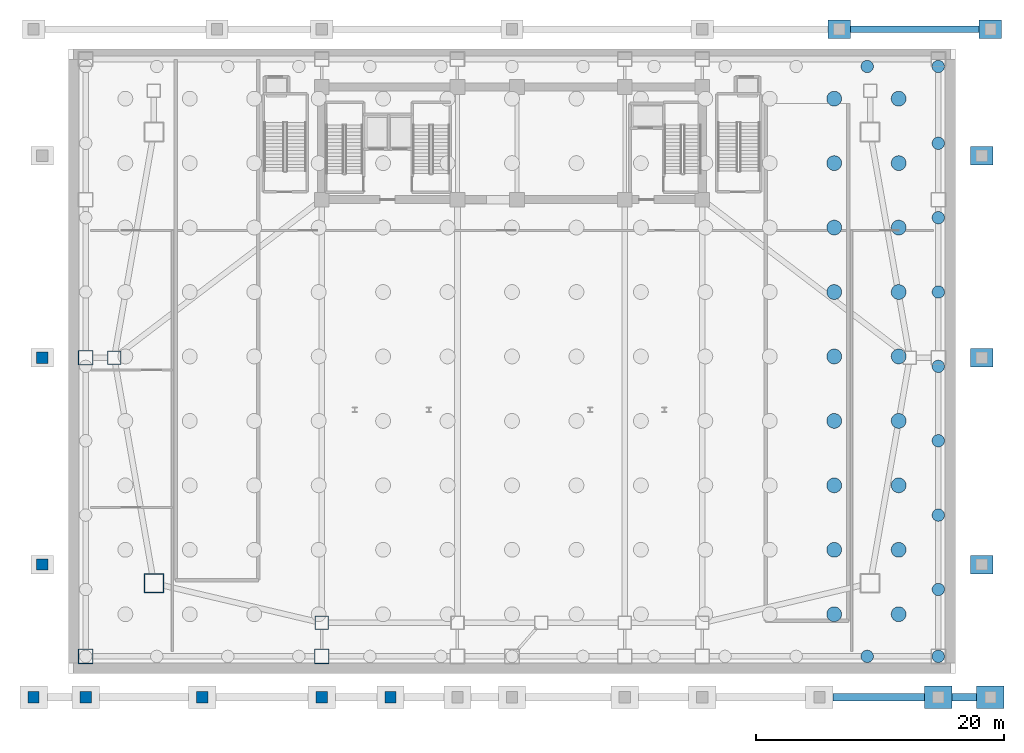
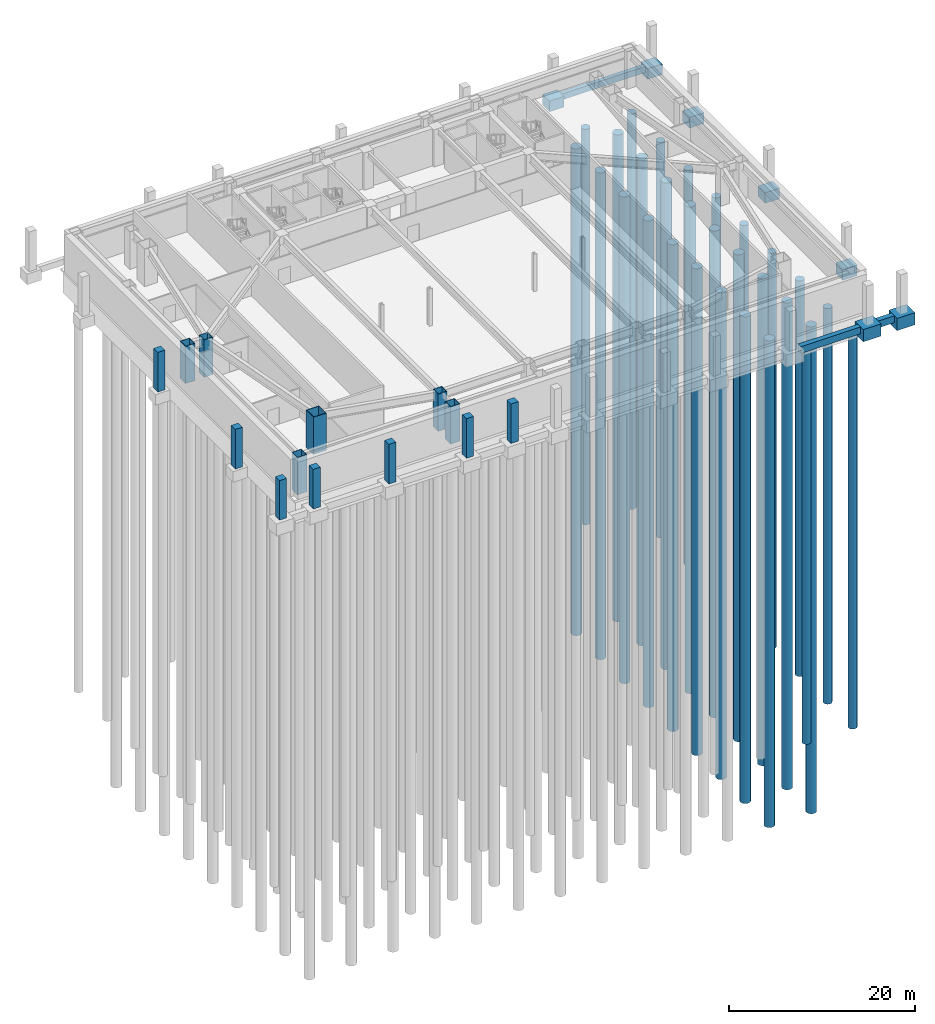
# One storey, part 2 of 10: 29 piles, 13 columns, 10 footings.
"""IFC4 building model written with IfcOpenShell, lengths in metres."""

from ifc_helpers import new_model, si_unit, direction, frame, origin, origin_2d, place, context, subcontext, project, spatial, rectangle, hollow_rectangle, circle, extrude, source, transform, mapped, material, material_profile, profile_set, type_object, element, save


model = new_model("IFC4")

# Units and contexts
model_context = context("Model", 3, precision=1e-05, world=origin(), true_north=direction((0.0, 1.0)))
body_context = subcontext(model_context, "Body", "Model", "MODEL_VIEW")
ifc_project = project(units=[si_unit("LENGTHUNIT", "METRE"), si_unit("AREAUNIT", "SQUARE_METRE"), si_unit("VOLUMEUNIT", "CUBIC_METRE"), si_unit("PLANEANGLEUNIT", "RADIAN"), si_unit("MASSUNIT", "GRAM", prefix="KILO")], contexts=[model_context])

# Site, building, storey
site_placement = place(None, origin())
site = spatial("IfcSite", under=ifc_project, at=site_placement, CompositionType="ELEMENT")
building_placement = place(site_placement, origin())
building = spatial("IfcBuilding", under=site, at=building_placement, Name="Giltprow Tower", CompositionType="ELEMENT")
storey_placement = place(building_placement, frame((0.0, 0.0, -10.39990234375)))
storey = spatial("IfcBuildingStorey", under=building, at=storey_placement, Name="B02", CompositionType="ELEMENT", Elevation=-10.39990234375)

# Piles
ifc_material_1 = material(Name="Concrete C45", Category="concrete")
ifc_material_profile_1 = material_profile(ifc_material_1, circle(Radius=0.60009765625, at=origin_2d()), Name="PILE D1200")
ifc_profile_set_1 = profile_set([ifc_material_profile_1], Name="Concrete C45")
pile_type_1 = type_object("IfcPileType", Name="PILE-BORED-D1200", PredefinedType="BORED", material=ifc_profile_set_1)
shared_shape_1 = source(origin(), body_context, "Body", "SweptSolid", [
    extrude(circle(Radius=0.60009765625, at=origin_2d()), origin(), (0.0, 0.0, 1.0), 64.0),
])
for number, where, z_axis, x_axis, name in (
    (1, (61.199951171875, 4.0, -3.10009765625), (0.0, 0.0, -1.0), (1.0, 0.0, 0.0), "Tower Bored Pile P12-100"),
    (2, (61.199951171875, 9.199951171875, -3.10009765625), (0.0, 0.0, -1.0), (1.0, 0.0, 0.0), "Tower Bored Pile P12-101"),
    (3, (61.199951171875, 14.39990234375, -3.10009765625), (0.0, 0.0, -1.0), (1.0, 0.0, 0.0), "Tower Bored Pile P12-102"),
    (4, (61.199951171875, 19.60009765625, -3.10009765625), (0.0, 0.0, -1.0), (1.0, 0.0, 0.0), "Tower Bored Pile P12-103"),
    (5, (61.199951171875, 24.800048828125, -3.10009765625), (0.0, 0.0, -1.0), (1.0, 0.0, 0.0), "Tower Bored Pile P12-104"),
    (6, (61.199951171875, 30.0, -3.10009765625), (0.0, 0.0, -1.0), (1.0, 0.0, 0.0), "Tower Bored Pile P12-105"),
    (7, (61.199951171875, 35.199951171875, -3.10009765625), (0.0, 0.0, -1.0), (1.0, 0.0, 0.0), "Tower Bored Pile P12-106"),
    (8, (61.199951171875, 40.39990234375, -3.10009765625), (0.0, 0.0, -1.0), (1.0, 0.0, 0.0), "Tower Bored Pile P12-107"),
    (9, (61.199951171875, 45.60009765625, -3.10009765625), (0.0, 0.0, -1.0), (1.0, 0.0, 0.0), "Tower Bored Pile P12-108"),
    (10, (66.39990234375, 4.0, -3.10009765625), (0.0, 0.0, -1.0), (1.0, 0.0, 0.0), "Tower Bored Pile P12-109"),
    (11, (66.39990234375, 9.199951171875, -3.10009765625), (0.0, 0.0, -1.0), (1.0, 0.0, 0.0), "Tower Bored Pile P12-110"),
    (12, (66.39990234375, 14.39990234375, -3.10009765625), (0.0, 0.0, -1.0), (1.0, 0.0, 0.0), "Tower Bored Pile P12-111"),
    (13, (66.39990234375, 19.60009765625, -3.10009765625), (0.0, 0.0, -1.0), (1.0, 0.0, 0.0), "Tower Bored Pile P12-112"),
    (14, (66.39990234375, 24.800048828125, -3.10009765625), (0.0, 0.0, -1.0), (1.0, 0.0, 0.0), "Tower Bored Pile P12-113"),
    (15, (66.39990234375, 30.0, -3.10009765625), (0.0, 0.0, -1.0), (1.0, 0.0, 0.0), "Tower Bored Pile P12-114"),
    (16, (66.39990234375, 35.199951171875, -3.10009765625), (0.0, 0.0, -1.0), (1.0, 0.0, 0.0), "Tower Bored Pile P12-115"),
    (17, (66.39990234375, 40.39990234375, -3.10009765625), (0.0, 0.0, -1.0), (1.0, 0.0, 0.0), "Tower Bored Pile P12-116"),
    (18, (66.39990234375, 45.60009765625, -3.10009765625), (0.0, 0.0, -1.0), (1.0, 0.0, 0.0), "Tower Bored Pile P12-117"),
):
    element("IfcPile", number, at=place(storey_placement, frame(where, z_axis=z_axis, x_axis=x_axis)), inside=storey, type_object=pile_type_1, Name=name, PredefinedType="BORED", context=body_context, shape_type="MappedRepresentation", body=[
        mapped(shared_shape_1, transform((0.0, 0.0, 0.0), x_axis=(1.0, 0.0, 0.0), y_axis=(0.0, 1.0, 0.0), z_axis=(0.0, 0.0, 1.0), scale=1.0)),
    ])
ifc_material_profile_2 = material_profile(ifc_material_1, circle(Radius=0.5, at=origin_2d()), Name="PILE D1000")
ifc_profile_set_2 = profile_set([ifc_material_profile_2], Name="Concrete C45")
pile_type_2 = type_object("IfcPileType", Name="PILE-BORED-D1000", PredefinedType="BORED", material=ifc_profile_set_2)
shared_shape_2 = source(origin(), body_context, "Body", "SweptSolid", [
    extrude(circle(Radius=0.5, at=origin_2d()), origin(), (0.0, 0.0, 1.0), 52.0),
])
for number, where, z_axis, x_axis, name in (
    (19, (63.863037109375, 0.60009765625, -3.10009765625), (0.0, 0.0, -1.0), (1.0, 0.0, 0.0), "Podium Bored Pile P10-023"),
    (20, (63.863037109375, 48.199951171875, -3.10009765625), (0.0, 0.0, -1.0), (1.0, 0.0, 0.0), "Podium Bored Pile P10-024"),
    (21, (69.595947265625, 0.60009765625, -3.10009765625), (0.0, 0.0, -1.0), (1.0, 0.0, 0.0), "Podium Bored Pile P10-025"),
    (22, (69.595947265625, 48.199951171875, -3.10009765625), (0.0, 0.0, -1.0), (1.0, 0.0, 0.0), "Podium Bored Pile P10-026"),
    (23, (69.60009765625, 6.0, -3.10009765625), (0.0, 0.0, -1.0), (1.0, 0.0, 0.0), "Podium Bored Pile P10-028"),
    (24, (69.60009765625, 12.0, -3.10009765625), (0.0, 0.0, -1.0), (1.0, 0.0, 0.0), "Podium Bored Pile P10-030"),
    (25, (69.60009765625, 18.0, -3.10009765625), (0.0, 0.0, -1.0), (1.0, 0.0, 0.0), "Podium Bored Pile P10-032"),
    (26, (69.60009765625, 24.0, -3.10009765625), (0.0, 0.0, -1.0), (1.0, 0.0, 0.0), "Podium Bored Pile P10-034"),
    (27, (69.60009765625, 30.0, -3.10009765625), (0.0, 0.0, -1.0), (1.0, 0.0, 0.0), "Podium Bored Pile P10-036"),
    (28, (69.60009765625, 36.0, -3.10009765625), (0.0, 0.0, -1.0), (1.0, 0.0, 0.0), "Podium Bored Pile P10-038"),
    (29, (69.60009765625, 42.0, -3.10009765625), (0.0, 0.0, -1.0), (1.0, 0.0, 0.0), "Podium Bored Pile P10-040"),
):
    element("IfcPile", number, at=place(storey_placement, frame(where, z_axis=z_axis, x_axis=x_axis)), inside=storey, type_object=pile_type_2, Name=name, PredefinedType="BORED", context=body_context, shape_type="MappedRepresentation", body=[
        mapped(shared_shape_2, transform((0.0, 0.0, 0.0), x_axis=(1.0, 0.0, 0.0), y_axis=(0.0, 1.0, 0.0), z_axis=(0.0, 0.0, 1.0), scale=1.0)),
    ])

# Footings
footing_type_1 = type_object("IfcFootingType", Name="FND-PAD-2200", PredefinedType="PAD_FOOTING", material=ifc_material_1)
shared_shape_3 = source(origin(), body_context, "Body", "SweptSolid", [
    extrude(rectangle(XDim=2.199951171875, YDim=1.800048828125, at=origin_2d()), origin(), (0.0, 0.0, 1.0), 1.60009765625),
])
for number, where, z_axis, x_axis, name in (
    (30, (69.60009765625, -2.699951171875, -1.60009765625), (0.0, 0.0, 1.0), (1.0, 0.0, 0.0), "Promenade Pad Footing PF-11"),
    (31, (73.800048828125, -2.699951171875, -1.60009765625), (0.0, 0.0, 1.0), (1.0, 0.0, 0.0), "Promenade Pad Footing PF-12"),
):
    element("IfcFooting", number, at=place(storey_placement, frame(where, z_axis=z_axis, x_axis=x_axis)), inside=storey, type_object=footing_type_1, Name=name, PredefinedType="PAD_FOOTING", context=body_context, shape_type="MappedRepresentation", body=[
        mapped(shared_shape_3, transform((0.0, 0.0, 0.0), x_axis=(1.0, 0.0, 0.0), y_axis=(0.0, 1.0, 0.0), z_axis=(0.0, 0.0, 1.0), scale=1.0)),
    ])
ifc_material_profile_3 = material_profile(ifc_material_1, rectangle(XDim=0.60009765625, YDim=0.89990234375, at=origin_2d()), Name="RC 900x600")
ifc_profile_set_3 = profile_set([ifc_material_profile_3], Name="Concrete C45")
footing_type_2 = type_object("IfcFootingType", Name="FND-TIE-900x600", PredefinedType="FOOTING_BEAM", material=ifc_profile_set_3)
shared_shape_4 = source(origin(), body_context, "Body", "SweptSolid", [
    extrude(rectangle(XDim=0.60009765625, YDim=0.89990234375, at=origin_2d()), origin(), (0.0, 0.0, 1.0), 2.0),
])
footing_1_placement = place(storey_placement, frame((70.699951171875, -2.699951171875, -0.4501953125), z_axis=(1.0, 0.0, 0.0), x_axis=(0.0, 1.0, 0.0)))
element("IfcFooting", 32, at=footing_1_placement, inside=storey, type_object=footing_type_2, Name="Promenade Ground Tie Beam GB-11", PredefinedType="FOOTING_BEAM", context=body_context, shape_type="MappedRepresentation", body=[
    mapped(shared_shape_4, transform((0.0, 0.0, 0.0), x_axis=(1.0, 0.0, 0.0), y_axis=(0.0, 1.0, 0.0), z_axis=(0.0, 0.0, 1.0), scale=1.0)),
])
shared_shape_5 = source(origin(), body_context, "Body", "SweptSolid", [
    extrude(rectangle(XDim=0.60009765625, YDim=0.89990234375, at=origin_2d()), origin(), (0.0, 0.0, 1.0), 7.39990234375),
])
footing_2_placement = place(storey_placement, frame((61.10009765625, -2.699951171875, -0.4501953125), z_axis=(1.0, 0.0, 0.0), x_axis=(0.0, 1.0, 0.0)))
element("IfcFooting", 33, at=footing_2_placement, inside=storey, type_object=footing_type_2, Name="Promenade Ground Tie Beam GB-10", PredefinedType="FOOTING_BEAM", context=body_context, shape_type="MappedRepresentation", body=[
    mapped(shared_shape_5, transform((0.0, 0.0, 0.0), x_axis=(1.0, 0.0, 0.0), y_axis=(0.0, 1.0, 0.0), z_axis=(0.0, 0.0, 1.0), scale=1.0)),
])
footing_type_3 = type_object("IfcFootingType", Name="FND-PAD-1800", PredefinedType="PAD_FOOTING", material=ifc_material_1)
shared_shape_6 = source(origin(), body_context, "Body", "SweptSolid", [
    extrude(rectangle(XDim=1.800048828125, YDim=1.5, at=origin_2d()), origin(), (0.0, 0.0, 1.0), 1.39990234375),
])
for number, where, z_axis, x_axis, name in (
    (34, (73.10009765625, 8.0, -1.400146484375), (0.0, 0.0, 1.0), (1.0, 0.0, 0.0), "E Sidewalk Pad Footing PF-E1"),
    (35, (73.10009765625, 24.699951171875, -1.400146484375), (0.0, 0.0, 1.0), (1.0, 0.0, 0.0), "E Sidewalk Pad Footing PF-E2"),
    (36, (73.10009765625, 41.0, -1.400146484375), (0.0, 0.0, 1.0), (1.0, 0.0, 0.0), "E Sidewalk Pad Footing PF-E3"),
    (37, (61.60009765625, 51.199951171875, -1.400146484375), (0.0, 0.0, 1.0), (1.0, 0.0, 0.0), "North Apron Pad Footing PF-N06"),
    (38, (73.800048828125, 51.199951171875, -1.400146484375), (0.0, 0.0, 1.0), (1.0, 0.0, 0.0), "North Apron Pad Footing PF-N07"),
):
    element("IfcFooting", number, at=place(storey_placement, frame(where, z_axis=z_axis, x_axis=x_axis)), inside=storey, type_object=footing_type_3, Name=name, PredefinedType="PAD_FOOTING", context=body_context, shape_type="MappedRepresentation", body=[
        mapped(shared_shape_6, transform((0.0, 0.0, 0.0), x_axis=(1.0, 0.0, 0.0), y_axis=(0.0, 1.0, 0.0), z_axis=(0.0, 0.0, 1.0), scale=1.0)),
    ])
ifc_material_profile_4 = material_profile(ifc_material_1, rectangle(XDim=0.5, YDim=0.800048828125, at=origin_2d()), Name="RC 800x500")
ifc_profile_set_4 = profile_set([ifc_material_profile_4], Name="Concrete C45")
footing_type_4 = type_object("IfcFootingType", Name="FND-STRIP-800x500", PredefinedType="STRIP_FOOTING", material=ifc_profile_set_4)
shared_shape_7 = source(origin(), body_context, "Body", "SweptSolid", [
    extrude(rectangle(XDim=0.5, YDim=0.800048828125, at=origin_2d()), origin(), (0.0, 0.0, 1.0), 10.39990234375),
])
footing_3_placement = place(storey_placement, frame((62.5, 51.199951171875, -0.400146484375), z_axis=(1.0, 0.0, 0.0), x_axis=(0.0, 1.0, 0.0)))
element("IfcFooting", 39, at=footing_3_placement, inside=storey, type_object=footing_type_4, Name="North Apron Strip Footing SF-06", PredefinedType="STRIP_FOOTING", context=body_context, shape_type="MappedRepresentation", body=[
    mapped(shared_shape_7, transform((0.0, 0.0, 0.0), x_axis=(1.0, 0.0, 0.0), y_axis=(0.0, 1.0, 0.0), z_axis=(0.0, 0.0, 1.0), scale=1.0)),
])

# Columns
ifc_material_profile_5 = material_profile(ifc_material_1, rectangle(XDim=0.89990234375, YDim=0.89990234375, at=origin_2d()), Name="RC 900x900")
ifc_profile_set_5 = profile_set([ifc_material_profile_5], Name="Concrete C45")
column_type_1 = type_object("IfcColumnType", Name="PIL-PIER-RC800", PredefinedType="PILASTER", material=ifc_profile_set_5)
shared_shape_8 = source(origin(), body_context, "Body", "SweptSolid", [
    extrude(rectangle(XDim=0.89990234375, YDim=0.89990234375, at=origin_2d()), origin(), (0.0, 0.0, 1.0), 5.199951171875),
])
for number, where, z_axis, x_axis, name in (
    (40, (-3.39990234375, -2.699951171875, 0.0), (0.0, 0.0, 1.0), (1.0, 0.0, 0.0), "Promenade Grade Pier B02-01"),
    (41, (0.800048828125, -2.699951171875, 0.0), (0.0, 0.0, 1.0), (1.0, 0.0, 0.0), "Promenade Grade Pier B02-02"),
    (42, (10.199951171875, -2.699951171875, 0.0), (0.0, 0.0, 1.0), (1.0, 0.0, 0.0), "Promenade Grade Pier B02-03"),
    (43, (19.85009765625, -2.699951171875, 0.0), (0.0, 0.0, 1.0), (1.0, 0.0, 0.0), "Promenade Grade Pier B02-04"),
    (44, (25.39990234375, -2.699951171875, 0.0), (0.0, 0.0, 1.0), (1.0, 0.0, 0.0), "Promenade Grade Pier B02-05"),
    (45, (-2.699951171875, 8.0, 0.0), (0.0, 0.0, 1.0), (1.0, 0.0, 0.0), "W Apron Pier B02-1"),
    (46, (-2.699951171875, 24.699951171875, 0.0), (0.0, 0.0, 1.0), (1.0, 0.0, 0.0), "W Apron Pier B02-2"),
):
    element("IfcColumn", number, at=place(storey_placement, frame(where, z_axis=z_axis, x_axis=x_axis)), inside=storey, type_object=column_type_1, Name=name, PredefinedType="PILASTER", context=body_context, shape_type="MappedRepresentation", body=[
        mapped(shared_shape_8, transform((0.0, 0.0, 0.0), x_axis=(1.0, 0.0, 0.0), y_axis=(0.0, 1.0, 0.0), z_axis=(0.0, 0.0, 1.0), scale=1.0)),
    ])
ifc_material_2 = material(Name="Structural steel Q420GJC", Category="steel")
ifc_material_profile_6 = material_profile(ifc_material_2, hollow_rectangle(XDim=1.60009765625, YDim=1.60009765625, WallThickness=0.074951171875, at=origin_2d()), Name="BOX 1600x1600x75")
ifc_profile_set_6 = profile_set([ifc_material_profile_6], Name="Structural steel Q420GJC")
column_type_2 = type_object("IfcColumnType", Name="COL-BOX-1600x1600x75", PredefinedType="COLUMN", material=ifc_profile_set_6)
shared_shape_9 = source(origin(), body_context, "Body", "SweptSolid", [
    extrude(hollow_rectangle(XDim=1.60009765625, YDim=1.60009765625, WallThickness=0.074951171875, at=origin_2d()), origin(), (0.0, 0.0, 1.0), 4.89990234375),
])
column_placement = place(storey_placement, frame((6.300048828125, 6.5, 0.0), z_axis=(0.0, 0.0, 1.0), x_axis=(1.0, 0.0, 0.0)))
element("IfcColumn", 47, at=column_placement, inside=storey, type_object=column_type_2, Name="B02 Continuous Tower Column MC_SW", PredefinedType="COLUMN", context=body_context, shape_type="MappedRepresentation", body=[
    mapped(shared_shape_9, transform((0.0, 0.0, 0.0), x_axis=(1.0, 0.0, 0.0), y_axis=(0.0, 1.0, 0.0), z_axis=(0.0, 0.0, 1.0), scale=1.0)),
])
ifc_material_profile_7 = material_profile(ifc_material_2, hollow_rectangle(XDim=1.10009765625, YDim=1.10009765625, WallThickness=0.050048828125, at=origin_2d()), Name="BOX 1100x1100x50")
ifc_profile_set_7 = profile_set([ifc_material_profile_7], Name="Structural steel Q420GJC")
column_type_3 = type_object("IfcColumnType", Name="COL-BOX-1100x1100x50", PredefinedType="COLUMN", material=ifc_profile_set_7)
shared_shape_10 = source(origin(), body_context, "Body", "SweptSolid", [
    extrude(hollow_rectangle(XDim=1.10009765625, YDim=1.10009765625, WallThickness=0.050048828125, at=origin_2d()), origin(), (0.0, 0.0, 1.0), 4.89990234375),
])
for number, where, z_axis, x_axis, name in (
    (48, (19.85009765625, 3.300048828125, 0.0), (0.0, 0.0, 1.0), (1.0, 0.0, 0.0), "B02 Continuous Tower Column S1"),
    (49, (3.10009765625, 24.699951171875, 0.0), (0.0, 0.0, 1.0), (1.0, 0.0, 0.0), "B02 Continuous Tower Column W_MID"),
):
    element("IfcColumn", number, at=place(storey_placement, frame(where, z_axis=z_axis, x_axis=x_axis)), inside=storey, type_object=column_type_3, Name=name, PredefinedType="COLUMN", context=body_context, shape_type="MappedRepresentation", body=[
        mapped(shared_shape_10, transform((0.0, 0.0, 0.0), x_axis=(1.0, 0.0, 0.0), y_axis=(0.0, 1.0, 0.0), z_axis=(0.0, 0.0, 1.0), scale=1.0)),
    ])
ifc_material_profile_8 = material_profile(ifc_material_2, hollow_rectangle(XDim=1.199951171875, YDim=1.199951171875, WallThickness=0.054931640625, at=origin_2d()), Name="BOX 1200x1200x55")
ifc_profile_set_8 = profile_set([ifc_material_profile_8], Name="Structural steel Q420GJC")
column_type_4 = type_object("IfcColumnType", Name="COL-BOX-1200x1200x55", PredefinedType="COLUMN", material=ifc_profile_set_8)
shared_shape_11 = source(origin(), body_context, "Body", "SweptSolid", [
    extrude(hollow_rectangle(XDim=1.199951171875, YDim=1.199951171875, WallThickness=0.054931640625, at=origin_2d()), origin(), (0.0, 0.0, 1.0), 4.89990234375),
])
for number, where, z_axis, x_axis, name in (
    (50, (0.800048828125, 0.60009765625, 0.0), (0.0, 0.0, 1.0), (1.0, 0.0, 0.0), "B02 Podium Column (0.8,0.6)"),
    (51, (19.85009765625, 0.60009765625, 0.0), (0.0, 0.0, 1.0), (1.0, 0.0, 0.0), "B02 Podium Column (19.9,0.6)"),
    (52, (0.800048828125, 24.699951171875, 0.0), (0.0, 0.0, 1.0), (1.0, 0.0, 0.0), "B02 Podium Column (0.8,24.7)"),
):
    element("IfcColumn", number, at=place(storey_placement, frame(where, z_axis=z_axis, x_axis=x_axis)), inside=storey, type_object=column_type_4, Name=name, PredefinedType="COLUMN", context=body_context, shape_type="MappedRepresentation", body=[
        mapped(shared_shape_11, transform((0.0, 0.0, 0.0), x_axis=(1.0, 0.0, 0.0), y_axis=(0.0, 1.0, 0.0), z_axis=(0.0, 0.0, 1.0), scale=1.0)),
    ])

save(model, "model.ifc")
